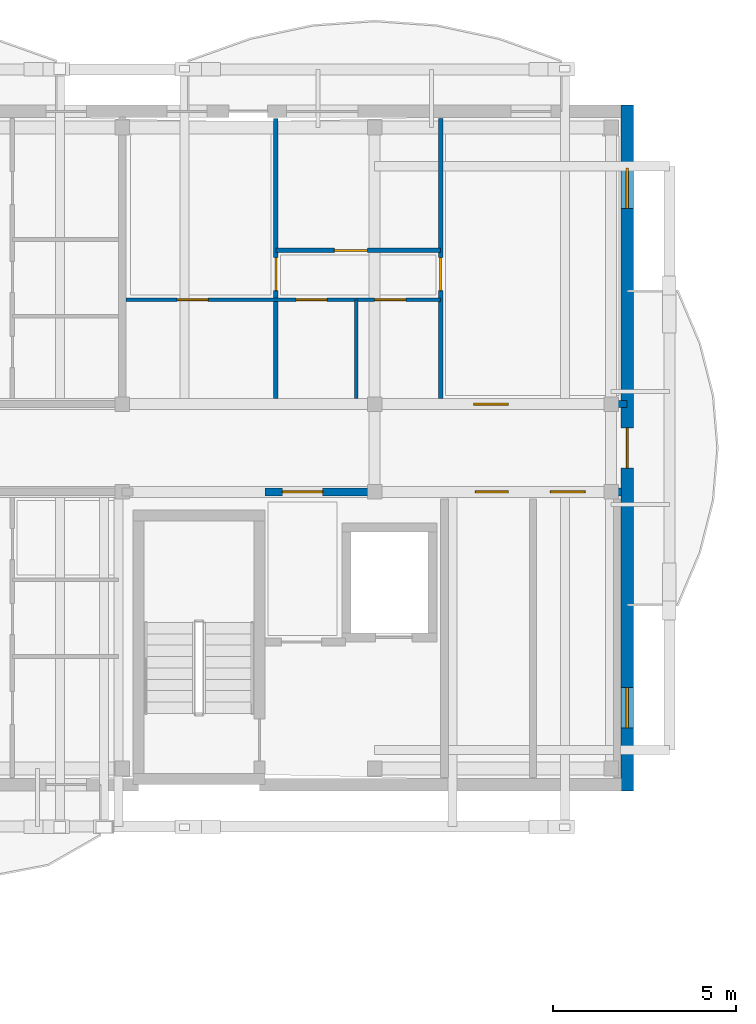
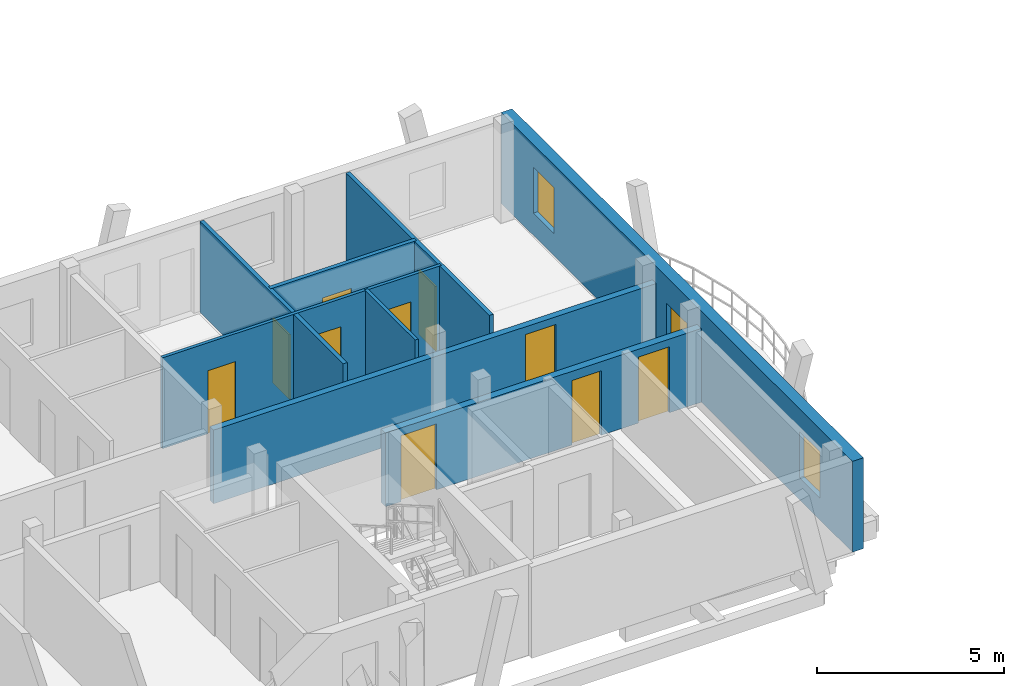
# One storey, part 20 of 33: 11 doors, 8 walls, 2 windows, 13 openings.
"""IFC4 building model written with IfcOpenShell, lengths in metres."""

from ifc_helpers import new_model, si_unit, direction, frame, frame_2d, origin, origin_with_axes, place, context, subcontext, project, spatial, rectangle, extrude, material, layer, layer_set, type_object, element, fill, save


model = new_model("IFC4")

# Units and contexts
model_context = context("Model", 3, precision=1e-05, world=origin(), true_north=direction((0.0, 1.0)))
body_context = subcontext(model_context, "Body", "Model", "MODEL_VIEW")
ifc_project = project(units=[si_unit("LENGTHUNIT", "METRE"), si_unit("AREAUNIT", "SQUARE_METRE"), si_unit("VOLUMEUNIT", "CUBIC_METRE"), si_unit("PLANEANGLEUNIT", "RADIAN"), si_unit("MASSUNIT", "GRAM", prefix="KILO")], contexts=[model_context])

# Site, building, storey
site_placement = place(None, origin())
site = spatial("IfcSite", under=ifc_project, at=site_placement, CompositionType="ELEMENT")
building_placement = place(site_placement, origin())
building = spatial("IfcBuilding", under=site, at=building_placement, Name="Zavelmont Quarter", CompositionType="ELEMENT")
storey_placement = place(building_placement, frame((0.0, 0.0, 30.39990234375)))
storey = spatial("IfcBuildingStorey", under=building, at=storey_placement, Name="L09", CompositionType="ELEMENT", Elevation=30.39990234375)

# Wall, openings, door, windows
ifc_material_1 = material(Name="Natural Belgian limestone", Category="masonry")
ifc_layer_1 = layer(ifc_material_1, 0.340087890625)
ifc_layer_set_1 = layer_set([ifc_layer_1], Name="Natural Belgian limestone")
wall_type_1 = type_object("IfcWallType", Name="EW03", PredefinedType="STANDARD", material=ifc_layer_set_1)
wall_1_placement = place(storey_placement, frame((41.39990234375, 97.429931640625, 0.0), z_axis=(0.0, 0.0, 1.0), x_axis=(0.0, 1.0, 0.0)))
wall_1 = element("IfcWall", 1, at=wall_1_placement, inside=storey, type_object=wall_type_1, Name="L09 exterior limestone wall EW03", PredefinedType="STANDARD", context=body_context, shape_type="SweptSolid", body=[
    extrude(rectangle(XDim=18.739990234375, YDim=0.340087890625, at=frame_2d((9.3701171875, 0.0))), origin(), (0.0, 0.0, 1.0), 2.960205078125),
])
opening_1_placement = place(wall_1_placement, frame((8.820068359375, 0.0, 0.0)))
opening_1 = element("IfcOpeningElement", 2, at=opening_1_placement, cuts=wall_1, Name="Opening DR04B", PredefinedType="OPENING", context=body_context, shape_type="SweptSolid", body=[
    extrude(rectangle(XDim=1.10009765625, YDim=2.10009765625, at=frame_2d((0.550048828125, 1.050048828125))), frame((0.0, 0.18212890625, 0.0), z_axis=(0.0, -1.0, 0.0), x_axis=(1.0, 0.0, 0.0)), (0.0, 0.0, 1.0), 0.364013671875),
])
opening_2_placement = place(wall_1_placement, frame((1.719970703125, 0.0, 0.719970703125)))
opening_2 = element("IfcOpeningElement", 3, at=opening_2_placement, cuts=wall_1, Name="Opening WN09", PredefinedType="OPENING", context=body_context, shape_type="SweptSolid", body=[
    extrude(rectangle(XDim=1.10009765625, YDim=1.5, at=frame_2d((0.550048828125, 0.75))), frame((0.0, 0.18212890625, 0.0), z_axis=(0.0, -1.0, 0.0), x_axis=(1.0, 0.0, 0.0)), (0.0, 0.0, 1.0), 0.364013671875),
])
opening_3_placement = place(wall_1_placement, frame((15.919921875, 0.0, 0.719970703125)))
opening_3 = element("IfcOpeningElement", 4, at=opening_3_placement, cuts=wall_1, Name="Opening WN09", PredefinedType="OPENING", context=body_context, shape_type="SweptSolid", body=[
    extrude(rectangle(XDim=1.10009765625, YDim=1.5, at=frame_2d((0.550048828125, 0.75))), frame((0.0, 0.18212890625, 0.0), z_axis=(0.0, -1.0, 0.0), x_axis=(1.0, 0.0, 0.0)), (0.0, 0.0, 1.0), 0.364013671875),
])
ifc_material_2 = material(Name="Thermally broken aluminium and double safety glass", Category="aluminium")
door_type_1 = type_object("IfcDoorType", Name="DR04B", OperationType="NOTDEFINED", PredefinedType="DOOR", material=ifc_material_2)
door_1_placement = place(opening_1_placement, origin_with_axes())
door_1 = element("IfcDoor", 5, at=door_1_placement, inside=storey, type_object=door_type_1, Name="Block B L09 terrace or vase balcony door", OperationType="SINGLE_SWING_LEFT", OverallHeight=2.10009765625, OverallWidth=1.10009765625, PredefinedType="DOOR", context=body_context, shape_type="SweptSolid", body=[
    extrude(rectangle(XDim=1.10009765625, YDim=2.10009765625, at=frame_2d((0.550048828125, 1.050048828125))), frame((0.0, 0.02490234375, 0.0), z_axis=(0.0, -1.0, 0.0), x_axis=(1.0, 0.0, 0.0)), (0.0, 0.0, 1.0), 0.050048828125),
])
fill(opening_1, door_1)
ifc_material_3 = material(Name="Double low-E insulated glazing in thermally broken aluminium frame", Category="aluminium")
window_type = type_object("IfcWindowType", Name="WN09", PartitioningType="SINGLE_PANEL", PredefinedType="WINDOW", material=ifc_material_3)
window_1_placement = place(opening_2_placement, origin_with_axes())
window_1 = element("IfcWindow", 6, at=window_1_placement, inside=storey, type_object=window_type, Name="L09 window WN09", OverallHeight=1.5, OverallWidth=1.10009765625, PartitioningType="SINGLE_PANEL", PredefinedType="WINDOW", context=body_context, shape_type="SweptSolid", body=[
    extrude(rectangle(XDim=1.10009765625, YDim=1.5, at=frame_2d((0.550048828125, 0.75))), frame((0.0, 0.030029296875, 0.0), z_axis=(0.0, -1.0, 0.0), x_axis=(1.0, 0.0, 0.0)), (0.0, 0.0, 1.0), 0.06005859375),
])
fill(opening_2, window_1)
window_2_placement = place(opening_3_placement, origin_with_axes())
window_2 = element("IfcWindow", 7, at=window_2_placement, inside=storey, type_object=window_type, Name="L09 window WN09", OverallHeight=1.5, OverallWidth=1.10009765625, PartitioningType="SINGLE_PANEL", PredefinedType="WINDOW", context=body_context, shape_type="SweptSolid", body=[
    extrude(rectangle(XDim=1.10009765625, YDim=1.5, at=frame_2d((0.550048828125, 0.75))), frame((0.0, 0.030029296875, 0.0), z_axis=(0.0, -1.0, 0.0), x_axis=(1.0, 0.0, 0.0)), (0.0, 0.0, 1.0), 0.06005859375),
])
fill(opening_3, window_2)

# Wall, opening, door
ifc_material_4 = material(Name="Calcium-silicate blockwork and acoustic plaster", Category="masonry")
ifc_layer_2 = layer(ifc_material_4, 0.199951171875)
ifc_layer_set_2 = layer_set([ifc_layer_2], Name="Calcium-silicate blockwork and acoustic plaster")
wall_type_2 = type_object("IfcWallType", Name="IW01", PredefinedType="PARTITIONING", material=ifc_layer_set_2)
wall_2_placement = place(storey_placement, frame((27.60009765625, 108.0, 0.0), z_axis=(0.0, 0.0, 1.0), x_axis=(1.0, 0.0, 0.0)))
wall_2 = element("IfcWall", 8, at=wall_2_placement, inside=storey, type_object=wall_type_2, Name="L09 Corridor compartment wall IW01", PredefinedType="PARTITIONING", context=body_context, shape_type="SweptSolid", body=[
    extrude(rectangle(XDim=13.7998046875, YDim=0.199951171875, at=frame_2d((6.89990234375, 0.0))), origin(), (0.0, 0.0, 1.0), 2.400146484375),
])
opening_4_placement = place(wall_2_placement, frame((9.60009765625, 0.0, 0.0)))
opening_4 = element("IfcOpeningElement", 9, at=opening_4_placement, cuts=wall_2, Name="Opening DR02", PredefinedType="OPENING", context=body_context, shape_type="SweptSolid", body=[
    extrude(rectangle(XDim=0.949951171875, YDim=2.14990234375, at=frame_2d((0.47509765625, 1.074951171875))), frame((0.0, 0.11181640625, 0.0), z_axis=(0.0, -1.0, 0.0), x_axis=(1.0, 0.0, 0.0)), (0.0, 0.0, 1.0), 0.223876953125),
])
ifc_material_5 = material(Name="Solid-core oak fire leaf in steel frame", Category="steel")
door_type_2 = type_object("IfcDoorType", Name="DR02", OperationType="NOTDEFINED", PredefinedType="DOOR", material=ifc_material_5)
door_2_placement = place(opening_4_placement, origin_with_axes())
door_2 = element("IfcDoor", 10, at=door_2_placement, inside=storey, type_object=door_type_2, Name="L09 door DR02", OperationType="SINGLE_SWING_LEFT", OverallHeight=2.14990234375, OverallWidth=0.949951171875, PredefinedType="DOOR", context=body_context, shape_type="SweptSolid", body=[
    extrude(rectangle(XDim=0.949951171875, YDim=2.14990234375, at=frame_2d((0.47509765625, 1.074951171875))), frame((0.0, 0.02490234375, 0.0), z_axis=(0.0, -1.0, 0.0), x_axis=(1.0, 0.0, 0.0)), (0.0, 0.0, 1.0), 0.050048828125),
])
fill(opening_4, door_2)

# Wall, openings, doors
ifc_material_6 = material(Name="Reinforced masonry fire compartment wall", Category="masonry")
ifc_layer_3 = layer(ifc_material_6, 0.22509765625)
ifc_layer_set_3 = layer_set([ifc_layer_3], Name="Reinforced masonry fire compartment wall")
wall_type_3 = type_object("IfcWallType", Name="IW02", PredefinedType="PARTITIONING", material=ifc_layer_set_3)
wall_3_placement = place(storey_placement, frame((31.5, 105.60009765625, 0.0), z_axis=(0.0, 0.0, 1.0), x_axis=(1.0, 0.0, 0.0)))
wall_3 = element("IfcWall", 11, at=wall_3_placement, inside=storey, type_object=wall_type_3, Name="L09 Core corridor fire wall IW02", PredefinedType="PARTITIONING", context=body_context, shape_type="SweptSolid", body=[
    extrude(rectangle(XDim=9.75, YDim=0.22509765625, at=frame_2d((4.875, 0.0))), origin(), (0.0, 0.0, 1.0), 2.400146484375),
])
opening_5_placement = place(wall_3_placement, frame((0.47509765625, 0.0, 0.0)))
opening_5 = element("IfcOpeningElement", 12, at=opening_5_placement, cuts=wall_3, Name="Opening DR10", PredefinedType="OPENING", context=body_context, shape_type="SweptSolid", body=[
    extrude(rectangle(XDim=1.10009765625, YDim=2.14990234375, at=frame_2d((0.550048828125, 1.074951171875))), frame((0.0, 0.12451171875, 0.0), z_axis=(0.0, -1.0, 0.0), x_axis=(1.0, 0.0, 0.0)), (0.0, 0.0, 1.0), 0.2490234375),
])
opening_6_placement = place(wall_3_placement, frame((5.75, 0.0, 0.0)))
opening_6 = element("IfcOpeningElement", 13, at=opening_6_placement, cuts=wall_3, Name="Opening DR11", PredefinedType="OPENING", context=body_context, shape_type="SweptSolid", body=[
    extrude(rectangle(XDim=0.89990234375, YDim=2.10009765625, at=frame_2d((0.449951171875, 1.050048828125))), frame((0.0, 0.12451171875, 0.0), z_axis=(0.0, -1.0, 0.0), x_axis=(1.0, 0.0, 0.0)), (0.0, 0.0, 1.0), 0.2490234375),
])
opening_7_placement = place(wall_3_placement, frame((7.800048828125, 0.0, 0.0)))
opening_7 = element("IfcOpeningElement", 14, at=opening_7_placement, cuts=wall_3, Name="Opening DR02", PredefinedType="OPENING", context=body_context, shape_type="SweptSolid", body=[
    extrude(rectangle(XDim=0.949951171875, YDim=2.14990234375, at=frame_2d((0.47509765625, 1.074951171875))), frame((0.0, 0.12451171875, 0.0), z_axis=(0.0, -1.0, 0.0), x_axis=(1.0, 0.0, 0.0)), (0.0, 0.0, 1.0), 0.2490234375),
])
door_3_placement = place(opening_7_placement, origin_with_axes())
door_3 = element("IfcDoor", 15, at=door_3_placement, inside=storey, type_object=door_type_2, Name="Auxiliary store corridor door", OperationType="SINGLE_SWING_RIGHT", OverallHeight=2.14990234375, OverallWidth=0.949951171875, PredefinedType="DOOR", context=body_context, shape_type="SweptSolid", body=[
    extrude(rectangle(XDim=0.949951171875, YDim=2.14990234375, at=frame_2d((0.47509765625, 1.074951171875))), frame((0.0, 0.02490234375, 0.0), z_axis=(0.0, -1.0, 0.0), x_axis=(1.0, 0.0, 0.0)), (0.0, 0.0, 1.0), 0.050048828125),
])
fill(opening_7, door_3)
ifc_material_7 = material(Name="Painted steel lobby fire door", Category="steel")
door_type_3 = type_object("IfcDoorType", Name="DR10", OperationType="NOTDEFINED", PredefinedType="DOOR", material=ifc_material_7)
door_4_placement = place(opening_5_placement, frame((1.10009765625, 0.0, 0.0), z_axis=(0.0, 0.0, 1.0), x_axis=(-1.0, 0.0, 0.0)))
door_4 = element("IfcDoor", 16, at=door_4_placement, inside=storey, type_object=door_type_3, Name="Core vestibule fire door", OperationType="SINGLE_SWING_LEFT", OverallHeight=2.14990234375, OverallWidth=1.10009765625, PredefinedType="DOOR", context=body_context, shape_type="SweptSolid", body=[
    extrude(rectangle(XDim=1.10009765625, YDim=2.14990234375, at=frame_2d((0.550048828125, 1.074951171875))), frame((0.0, 0.02490234375, 0.0), z_axis=(0.0, -1.0, 0.0), x_axis=(1.0, 0.0, 0.0)), (0.0, 0.0, 1.0), 0.050048828125),
])
fill(opening_5, door_4)
ifc_material_8 = material(Name="Painted steel service-riser fire door", Category="steel")
door_type_4 = type_object("IfcDoorType", Name="DR11", OperationType="NOTDEFINED", PredefinedType="DOOR", material=ifc_material_8)
door_5_placement = place(opening_6_placement, origin_with_axes())
door_5 = element("IfcDoor", 17, at=door_5_placement, inside=storey, type_object=door_type_4, Name="Service riser fire door", OperationType="SINGLE_SWING_LEFT", OverallHeight=2.10009765625, OverallWidth=0.89990234375, PredefinedType="DOOR", context=body_context, shape_type="SweptSolid", body=[
    extrude(rectangle(XDim=0.89990234375, YDim=2.10009765625, at=frame_2d((0.449951171875, 1.050048828125))), frame((0.0, 0.02490234375, 0.0), z_axis=(0.0, -1.0, 0.0), x_axis=(1.0, 0.0, 0.0)), (0.0, 0.0, 1.0), 0.050048828125),
])
fill(opening_6, door_5)

# Wall, opening, door
ifc_material_9 = material(Name="Double gypsum board on acoustic steel stud", Category="steel")
ifc_layer_4 = layer(ifc_material_9, 0.125)
ifc_layer_set_4 = layer_set([ifc_layer_4], Name="Double gypsum board on acoustic steel stud")
wall_type_4 = type_object("IfcWallType", Name="IW03", PredefinedType="PARTITIONING", material=ifc_layer_set_4)
wall_4_placement = place(storey_placement, frame((36.300048828125, 108.14990234375, 0.0), z_axis=(0.0, 0.0, 1.0), x_axis=(0.0, 1.0, 0.0)))
wall_4 = element("IfcWall", 18, at=wall_4_placement, inside=storey, type_object=wall_type_4, Name="L09 Partition IW03", PredefinedType="PARTITIONING", context=body_context, shape_type="SweptSolid", body=[
    extrude(rectangle(XDim=7.650146484375, YDim=0.125, at=frame_2d((3.8251953125, 0.0))), origin(), (0.0, 0.0, 1.0), 2.960205078125),
])
opening_8_placement = place(wall_4_placement, frame((2.949951171875, 0.0, 0.0)))
opening_8 = element("IfcOpeningElement", 19, at=opening_8_placement, cuts=wall_4, Name="Opening DR05", PredefinedType="OPENING", context=body_context, shape_type="SweptSolid", body=[
    extrude(rectangle(XDim=0.89990234375, YDim=2.10009765625, at=frame_2d((0.449951171875, 1.050048828125))), frame((0.0, 0.074462890625, 0.0), z_axis=(0.0, -1.0, 0.0), x_axis=(1.0, 0.0, 0.0)), (0.0, 0.0, 1.0), 0.14892578125),
])
ifc_material_10 = material(Name="Engineered oak flush interior door")
door_type_5 = type_object("IfcDoorType", Name="DR05", OperationType="NOTDEFINED", PredefinedType="DOOR", material=ifc_material_10)
door_6_placement = place(opening_8_placement, frame((0.89990234375, 0.0, 0.0), z_axis=(0.0, 0.0, 1.0), x_axis=(-1.0, 0.0, 0.0)))
door_6 = element("IfcDoor", 20, at=door_6_placement, inside=storey, type_object=door_type_5, Name="L09 door DR05", OperationType="SINGLE_SWING_LEFT", OverallHeight=2.10009765625, OverallWidth=0.89990234375, PredefinedType="DOOR", context=body_context, shape_type="SweptSolid", body=[
    extrude(rectangle(XDim=0.89990234375, YDim=2.10009765625, at=frame_2d((0.449951171875, 1.050048828125))), frame((0.0, 0.02490234375, 0.0), z_axis=(0.0, -1.0, 0.0), x_axis=(1.0, 0.0, 0.0)), (0.0, 0.0, 1.0), 0.050048828125),
])
fill(opening_8, door_6)

wall_5_placement = place(storey_placement, frame((31.800048828125, 108.14990234375, 0.0), z_axis=(0.0, 0.0, 1.0), x_axis=(0.0, 1.0, 0.0)))
wall_5 = element("IfcWall", 21, at=wall_5_placement, inside=storey, type_object=wall_type_4, Name="L09 Partition IW03", PredefinedType="PARTITIONING", context=body_context, shape_type="SweptSolid", body=[
    extrude(rectangle(XDim=7.650146484375, YDim=0.125, at=frame_2d((3.8251953125, 0.0))), origin(), (0.0, 0.0, 1.0), 2.960205078125),
])
opening_9_placement = place(wall_5_placement, frame((2.949951171875, 0.0, 0.0)))
opening_9 = element("IfcOpeningElement", 22, at=opening_9_placement, cuts=wall_5, Name="Opening DR05", PredefinedType="OPENING", context=body_context, shape_type="SweptSolid", body=[
    extrude(rectangle(XDim=0.89990234375, YDim=2.10009765625, at=frame_2d((0.449951171875, 1.050048828125))), frame((0.0, 0.074462890625, 0.0), z_axis=(0.0, -1.0, 0.0), x_axis=(1.0, 0.0, 0.0)), (0.0, 0.0, 1.0), 0.14892578125),
])
door_7_placement = place(opening_9_placement, origin_with_axes())
door_7 = element("IfcDoor", 23, at=door_7_placement, inside=storey, type_object=door_type_5, Name="L09 door DR05", OperationType="SINGLE_SWING_RIGHT", OverallHeight=2.10009765625, OverallWidth=0.89990234375, PredefinedType="DOOR", context=body_context, shape_type="SweptSolid", body=[
    extrude(rectangle(XDim=0.89990234375, YDim=2.10009765625, at=frame_2d((0.449951171875, 1.050048828125))), frame((0.0, 0.02490234375, 0.0), z_axis=(0.0, -1.0, 0.0), x_axis=(1.0, 0.0, 0.0)), (0.0, 0.0, 1.0), 0.050048828125),
])
fill(opening_9, door_7)

wall_6_placement = place(storey_placement, frame((31.800048828125, 112.199951171875, 0.0), z_axis=(0.0, 0.0, 1.0), x_axis=(1.0, 0.0, 0.0)))
wall_6 = element("IfcWall", 24, at=wall_6_placement, inside=storey, type_object=wall_type_4, Name="L09 Partition IW03", PredefinedType="PARTITIONING", context=body_context, shape_type="SweptSolid", body=[
    extrude(rectangle(XDim=4.5, YDim=0.125, at=frame_2d((2.25, 0.0))), origin(), (0.0, 0.0, 1.0), 2.960205078125),
])
opening_10_placement = place(wall_6_placement, frame((1.60009765625, 0.0, 0.0)))
opening_10 = element("IfcOpeningElement", 25, at=opening_10_placement, cuts=wall_6, Name="Opening DR05", PredefinedType="OPENING", context=body_context, shape_type="SweptSolid", body=[
    extrude(rectangle(XDim=0.89990234375, YDim=2.10009765625, at=frame_2d((0.449951171875, 1.050048828125))), frame((0.0, 0.074462890625, 0.0), z_axis=(0.0, -1.0, 0.0), x_axis=(1.0, 0.0, 0.0)), (0.0, 0.0, 1.0), 0.14892578125),
])
door_8_placement = place(opening_10_placement, origin_with_axes())
door_8 = element("IfcDoor", 26, at=door_8_placement, inside=storey, type_object=door_type_5, Name="L09 door DR05", OperationType="SINGLE_SWING_RIGHT", OverallHeight=2.10009765625, OverallWidth=0.89990234375, PredefinedType="DOOR", context=body_context, shape_type="SweptSolid", body=[
    extrude(rectangle(XDim=0.89990234375, YDim=2.10009765625, at=frame_2d((0.449951171875, 1.050048828125))), frame((0.0, 0.02490234375, 0.0), z_axis=(0.0, -1.0, 0.0), x_axis=(1.0, 0.0, 0.0)), (0.0, 0.0, 1.0), 0.050048828125),
])
fill(opening_10, door_8)

# Wall
ifc_material_11 = material(Name="Moisture-resistant gypsum board on steel stud", Category="steel")
ifc_layer_5 = layer(ifc_material_11, 0.10009765625)
ifc_layer_set_5 = layer_set([ifc_layer_5], Name="Moisture-resistant gypsum board on steel stud")
wall_type_5 = type_object("IfcWallType", Name="IW04", PredefinedType="PARTITIONING", material=ifc_layer_set_5)
wall_7_placement = place(storey_placement, frame((34.0, 108.14990234375, 0.0), z_axis=(0.0, 0.0, 1.0), x_axis=(0.0, 1.0, 0.0)))
element("IfcWall", 27, at=wall_7_placement, inside=storey, type_object=wall_type_5, Name="L09 Partition IW04", PredefinedType="PARTITIONING", context=body_context, shape_type="SweptSolid", body=[
    extrude(rectangle(XDim=2.7001953125, YDim=0.10009765625, at=frame_2d((1.35009765625, 0.0))), origin(), (0.0, 0.0, 1.0), 2.960205078125),
])

# Wall, openings, doors
wall_8_placement = place(storey_placement, frame((27.699951171875, 110.85009765625, 0.0), z_axis=(0.0, 0.0, 1.0), x_axis=(1.0, 0.0, 0.0)))
wall_8 = element("IfcWall", 28, at=wall_8_placement, inside=storey, type_object=wall_type_5, Name="L09 Partition IW04", PredefinedType="PARTITIONING", context=body_context, shape_type="SweptSolid", body=[
    extrude(rectangle(XDim=8.60009765625, YDim=0.10009765625, at=frame_2d((4.300048828125, 0.0))), origin(), (0.0, 0.0, 1.0), 2.960205078125),
])
opening_11_placement = place(wall_8_placement, frame((1.39990234375, 0.0, 0.0)))
opening_11 = element("IfcOpeningElement", 29, at=opening_11_placement, cuts=wall_8, Name="Opening DR06", PredefinedType="OPENING", context=body_context, shape_type="SweptSolid", body=[
    extrude(rectangle(XDim=0.85009765625, YDim=2.050048828125, at=frame_2d((0.425048828125, 1.02490234375))), frame((0.0, 0.06201171875, 0.0), z_axis=(0.0, -1.0, 0.0), x_axis=(1.0, 0.0, 0.0)), (0.0, 0.0, 1.0), 0.1240234375),
])
opening_12_placement = place(wall_8_placement, frame((4.64990234375, 0.0, 0.0)))
opening_12 = element("IfcOpeningElement", 30, at=opening_12_placement, cuts=wall_8, Name="Opening DR06", PredefinedType="OPENING", context=body_context, shape_type="SweptSolid", body=[
    extrude(rectangle(XDim=0.85009765625, YDim=2.050048828125, at=frame_2d((0.425048828125, 1.02490234375))), frame((0.0, 0.06201171875, 0.0), z_axis=(0.0, -1.0, 0.0), x_axis=(1.0, 0.0, 0.0)), (0.0, 0.0, 1.0), 0.1240234375),
])
opening_13_placement = place(wall_8_placement, frame((6.800048828125, 0.0, 0.0)))
opening_13 = element("IfcOpeningElement", 31, at=opening_13_placement, cuts=wall_8, Name="Opening DR16", PredefinedType="OPENING", context=body_context, shape_type="SweptSolid", body=[
    extrude(rectangle(XDim=0.85009765625, YDim=2.10009765625, at=frame_2d((0.425048828125, 1.050048828125))), frame((0.0, 0.06201171875, 0.0), z_axis=(0.0, -1.0, 0.0), x_axis=(1.0, 0.0, 0.0)), (0.0, 0.0, 1.0), 0.1240234375),
])
ifc_material_12 = material(Name="Moisture-resistant painted wet-room door")
door_type_6 = type_object("IfcDoorType", Name="DR06", OperationType="NOTDEFINED", PredefinedType="DOOR", material=ifc_material_12)
door_9_placement = place(opening_11_placement, frame((0.85009765625, 0.0, 0.0), z_axis=(0.0, 0.0, 1.0), x_axis=(-1.0, 0.0, 0.0)))
door_9 = element("IfcDoor", 32, at=door_9_placement, inside=storey, type_object=door_type_6, Name="L09 door DR06", OperationType="SINGLE_SWING_LEFT", OverallHeight=2.050048828125, OverallWidth=0.85009765625, PredefinedType="DOOR", context=body_context, shape_type="SweptSolid", body=[
    extrude(rectangle(XDim=0.85009765625, YDim=2.050048828125, at=frame_2d((0.425048828125, 1.02490234375))), frame((0.0, 0.02490234375, 0.0), z_axis=(0.0, -1.0, 0.0), x_axis=(1.0, 0.0, 0.0)), (0.0, 0.0, 1.0), 0.050048828125),
])
fill(opening_11, door_9)
door_10_placement = place(opening_12_placement, origin_with_axes())
door_10 = element("IfcDoor", 33, at=door_10_placement, inside=storey, type_object=door_type_6, Name="L09 door DR06", OperationType="SINGLE_SWING_RIGHT", OverallHeight=2.050048828125, OverallWidth=0.85009765625, PredefinedType="DOOR", context=body_context, shape_type="SweptSolid", body=[
    extrude(rectangle(XDim=0.85009765625, YDim=2.050048828125, at=frame_2d((0.425048828125, 1.02490234375))), frame((0.0, 0.02490234375, 0.0), z_axis=(0.0, -1.0, 0.0), x_axis=(1.0, 0.0, 0.0)), (0.0, 0.0, 1.0), 0.050048828125),
])
fill(opening_12, door_10)
door_type_7 = type_object("IfcDoorType", Name="DR16", OperationType="NOTDEFINED", PredefinedType="DOOR", material=ifc_material_10)
door_11_placement = place(opening_13_placement, frame((0.85009765625, 0.0, 0.0), z_axis=(0.0, 0.0, 1.0), x_axis=(-1.0, 0.0, 0.0)))
door_11 = element("IfcDoor", 34, at=door_11_placement, inside=storey, type_object=door_type_7, Name="L09 door DR16", OperationType="SINGLE_SWING_LEFT", OverallHeight=2.10009765625, OverallWidth=0.85009765625, PredefinedType="DOOR", context=body_context, shape_type="SweptSolid", body=[
    extrude(rectangle(XDim=0.85009765625, YDim=2.10009765625, at=frame_2d((0.425048828125, 1.050048828125))), frame((0.0, 0.02490234375, 0.0), z_axis=(0.0, -1.0, 0.0), x_axis=(1.0, 0.0, 0.0)), (0.0, 0.0, 1.0), 0.050048828125),
])
fill(opening_13, door_11)

save(model, "model.ifc")
